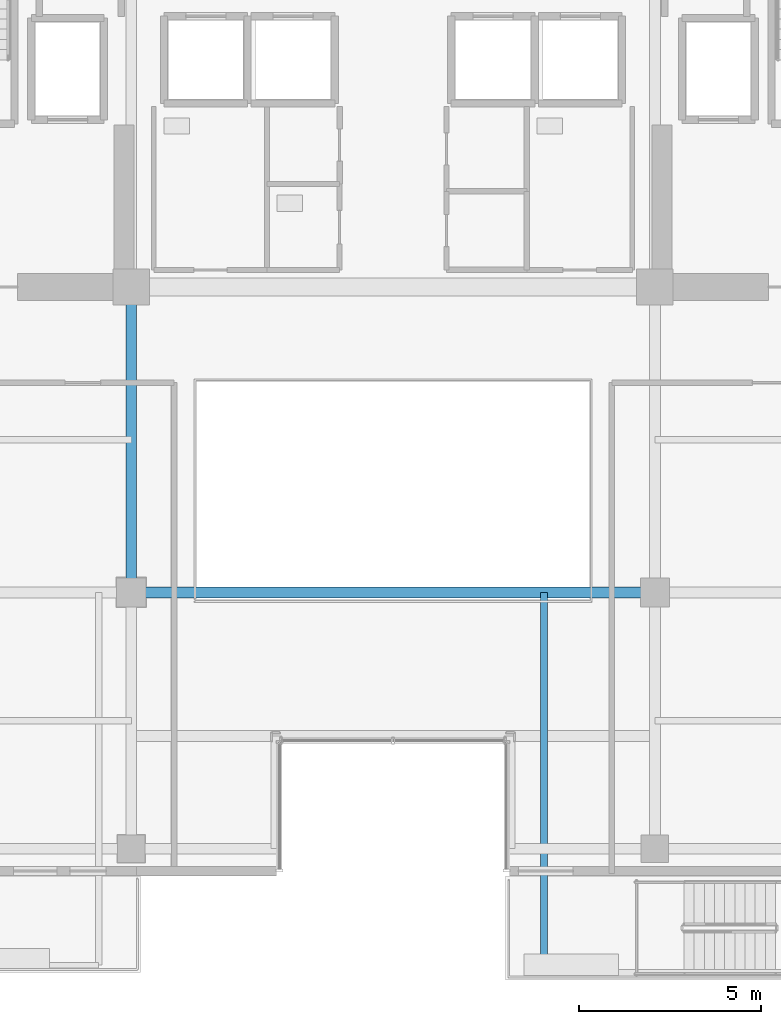
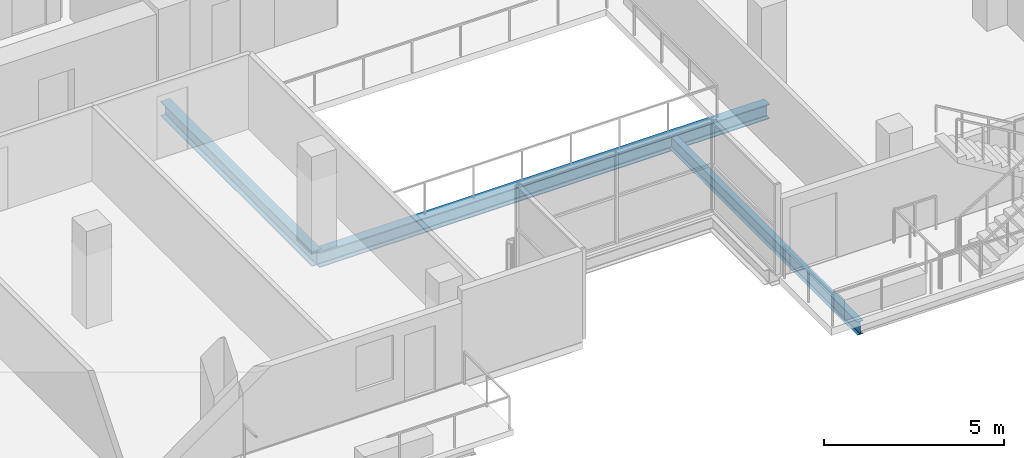
# One storey, part 4 of 23: 3 beams.
"""IFC4 building model written with IfcOpenShell, lengths in metres."""

from ifc_helpers import new_model, si_unit, direction, frame, origin, origin_2d, place, context, subcontext, project, spatial, i_section, extrude, material, material_profile, profile_set, type_object, element, save


model = new_model("IFC4")

# Units and contexts
model_context = context("Model", 3, precision=1e-05, world=origin(), true_north=direction((0.0, 1.0)))
body_context = subcontext(model_context, "Body", "Model", "MODEL_VIEW")
ifc_project = project(units=[si_unit("LENGTHUNIT", "METRE"), si_unit("AREAUNIT", "SQUARE_METRE"), si_unit("VOLUMEUNIT", "CUBIC_METRE"), si_unit("PLANEANGLEUNIT", "RADIAN"), si_unit("MASSUNIT", "GRAM", prefix="KILO")], contexts=[model_context])

# Site, building, storey
site_placement = place(None, origin())
site = spatial("IfcSite", under=ifc_project, at=site_placement, CompositionType="ELEMENT")
building_placement = place(site_placement, origin())
building = spatial("IfcBuilding", under=site, at=building_placement, Name="Zarnakvel Exchange Tower", CompositionType="ELEMENT")
storey_placement = place(building_placement, frame((0.0, 0.0, 172.60009765625)))
storey = spatial("IfcBuildingStorey", under=building, at=storey_placement, Name="L48", CompositionType="ELEMENT", Elevation=172.60009765625)

# Beams
ifc_material = material(Name="Steel S355", Category="steel")
ifc_material_profile_1 = material_profile(ifc_material, i_section(OverallWidth=0.18994140625, OverallDepth=0.449951171875, WebThickness=0.009521484375, FlangeThickness=0.0146484375, FilletRadius=0.02099609375, at=origin_2d()))
ifc_profile_set_1 = profile_set([ifc_material_profile_1], Name="Steel S355")
beam_type_1 = type_object("IfcBeamType", Name="B-05", PredefinedType="JOIST", material=ifc_profile_set_1)
beam_1_placement = place(storey_placement, frame((4.14990234375, -9.60009765625, -0.47509765625), z_axis=(0.0, -1.0, 0.0), x_axis=(1.0, 0.0, 0.0)))
element("IfcBeam", 1, at=beam_1_placement, inside=storey, type_object=beam_type_1, Name="L48 Continuous Spiral Terrace Beam W", PredefinedType="JOIST", context=body_context, shape_type="SweptSolid", body=[
    extrude(i_section(OverallWidth=0.18994140625, OverallDepth=0.449951171875, WebThickness=0.009521484375, FlangeThickness=0.0146484375, FilletRadius=0.02099609375, at=origin_2d()), origin(), (0.0, 0.0, 1.0), 10.4599609375),
])
ifc_material_profile_2 = material_profile(ifc_material, i_section(OverallWidth=0.300048828125, OverallDepth=0.5, WebThickness=0.014404296875, FlangeThickness=0.028076171875, FilletRadius=0.027099609375, at=origin_2d()))
ifc_profile_set_2 = profile_set([ifc_material_profile_2], Name="Steel S355")
beam_type_2 = type_object("IfcBeamType", Name="G-06", PredefinedType="BEAM", material=ifc_profile_set_2)
beam_2_placement = place(storey_placement, frame((-7.199951171875, -9.60009765625, -0.47509765625), z_axis=(1.0, 0.0, 0.0), x_axis=(0.0, 1.0, 0.0)))
element("IfcBeam", 2, at=beam_2_placement, inside=storey, type_object=beam_type_2, Name="L48 Tower E-W Frame Beam", PredefinedType="BEAM", context=body_context, shape_type="SweptSolid", body=[
    extrude(i_section(OverallWidth=0.300048828125, OverallDepth=0.5, WebThickness=0.014404296875, FlangeThickness=0.028076171875, FilletRadius=0.027099609375, at=origin_2d()), origin(), (0.0, 0.0, 1.0), 14.39990234375),
])
beam_3_placement = place(storey_placement, frame((-7.199951171875, -9.60009765625, -0.47509765625), z_axis=(0.0, 1.0, 0.0), x_axis=(-1.0, 0.0, 0.0)))
element("IfcBeam", 3, at=beam_3_placement, inside=storey, type_object=beam_type_2, Name="L48 Tower N-S Frame Beam", PredefinedType="BEAM", context=body_context, shape_type="SweptSolid", body=[
    extrude(i_section(OverallWidth=0.300048828125, OverallDepth=0.5, WebThickness=0.014404296875, FlangeThickness=0.028076171875, FilletRadius=0.027099609375, at=origin_2d()), origin(), (0.0, 0.0, 1.0), 8.400146484375),
])

save(model, "model.ifc")
